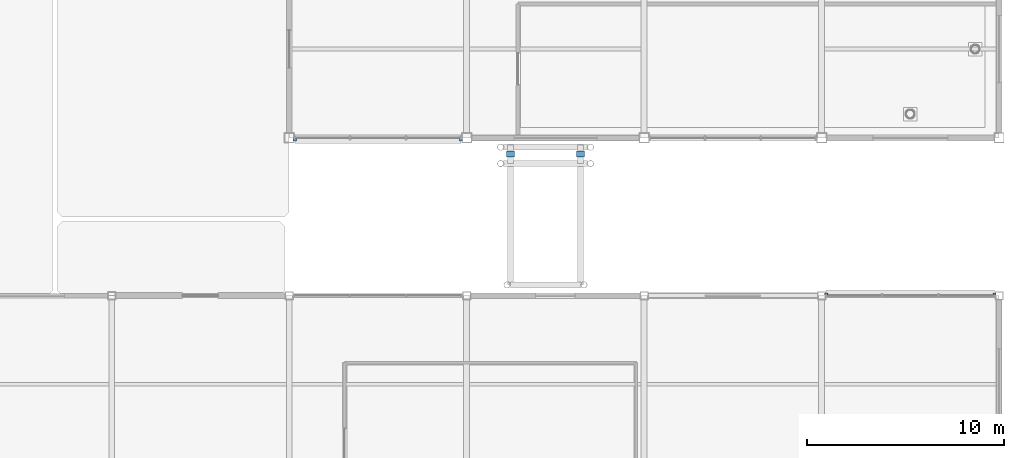
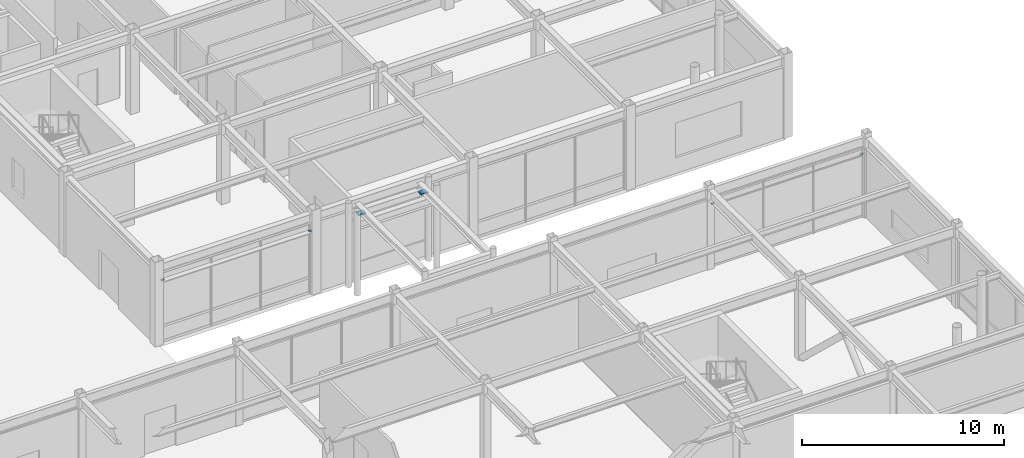
# One storey, part 103 of 123: 6 discrete accessories.
"""IFC4 building model written with IfcOpenShell, lengths in metres."""

from ifc_helpers import new_model, si_unit, direction, frame, origin, origin_2d, place, context, subcontext, project, spatial, rectangle, extrude, material, type_object, element, save


model = new_model("IFC4")

# Units and contexts
model_context = context("Model", 3, precision=1e-05, world=origin(), true_north=direction((0.0, 1.0)))
body_context = subcontext(model_context, "Body", "Model", "MODEL_VIEW")
ifc_project = project(units=[si_unit("LENGTHUNIT", "METRE"), si_unit("AREAUNIT", "SQUARE_METRE"), si_unit("VOLUMEUNIT", "CUBIC_METRE"), si_unit("PLANEANGLEUNIT", "RADIAN"), si_unit("MASSUNIT", "GRAM", prefix="KILO")], contexts=[model_context])

# Site, building, storey
site_placement = place(None, origin())
site = spatial("IfcSite", under=ifc_project, at=site_placement, CompositionType="ELEMENT")
building_placement = place(site_placement, origin())
building = spatial("IfcBuilding", under=site, at=building_placement, Name="Suzunagisa Mobility Hub", CompositionType="ELEMENT")
storey_placement = place(building_placement, origin())
storey = spatial("IfcBuildingStorey", under=building, at=storey_placement, Name="L00", CompositionType="ELEMENT", Elevation=0.0)

# Discrete accessories
ifc_material_1 = material(Name="Stainless Steel SUS316", Category="metal")
discrete_accessory_type_1 = type_object("IfcDiscreteAccessoryType", Name="Stainless Sunshade Outrigger Bracket BRK-01", PredefinedType="BRACKET", material=ifc_material_1)
for number, where, z_axis, x_axis, name in (
    (1, (179.767578125, 36.0849609375, 3.699951171875), (0.0, 0.0, 1.0), (-1.0, 0.0, 0.0), "Sunshade Outrigger Bracket BRK-31.1"),
    (2, (171.232421875, 36.0849609375, 3.699951171875), (0.0, 0.0, 1.0), (-1.0, 0.0, 0.0), "Sunshade Outrigger Bracket BRK-31.2"),
    (3, (144.282470703125, 43.9150390625, 3.761962890625), (0.0, 0.0, 1.0), (1.0, 0.0, 0.0), "Sunshade Outrigger Bracket BRK-36.1"),
    (4, (152.717529296875, 43.9150390625, 3.761962890625), (0.0, 0.0, 1.0), (1.0, 0.0, 0.0), "Sunshade Outrigger Bracket BRK-36.2"),
):
    element("IfcDiscreteAccessory", number, at=place(storey_placement, frame(where, z_axis=z_axis, x_axis=x_axis)), inside=storey, type_object=discrete_accessory_type_1, Name=name, PredefinedType="BRACKET", context=body_context, shape_type="SweptSolid", body=[
        extrude(rectangle(XDim=0.159912109375, YDim=0.1201171875, at=origin_2d()), origin(), (0.0, 0.0, 1.0), 0.080078125),
    ])
ifc_material_2 = material(Name="PTFE Elastomeric Bearing Assembly")
discrete_accessory_type_2 = type_object("IfcDiscreteAccessoryType", Name="Unguided PTFE Sliding Bearing SBG-01", PredefinedType="SHOE", material=ifc_material_2)
for number, where, z_axis, x_axis, name in (
    (5, (155.219970703125, 43.175048828125, 4.429931640625), (0.0, 0.0, 1.0), (1.0, 0.0, 0.0), "Skybridge PTFE Sliding Bearing SB-03-A"),
    (6, (158.780029296875, 43.175048828125, 4.429931640625), (0.0, 0.0, 1.0), (1.0, 0.0, 0.0), "Skybridge PTFE Sliding Bearing SB-03-B"),
):
    element("IfcDiscreteAccessory", number, at=place(storey_placement, frame(where, z_axis=z_axis, x_axis=x_axis)), inside=storey, type_object=discrete_accessory_type_2, Name=name, PredefinedType="SHOE", context=body_context, shape_type="SweptSolid", body=[
        extrude(rectangle(XDim=0.39990234375, YDim=0.300048828125, at=origin_2d()), origin(), (0.0, 0.0, 1.0), 0.080078125),
    ])

save(model, "model.ifc")
